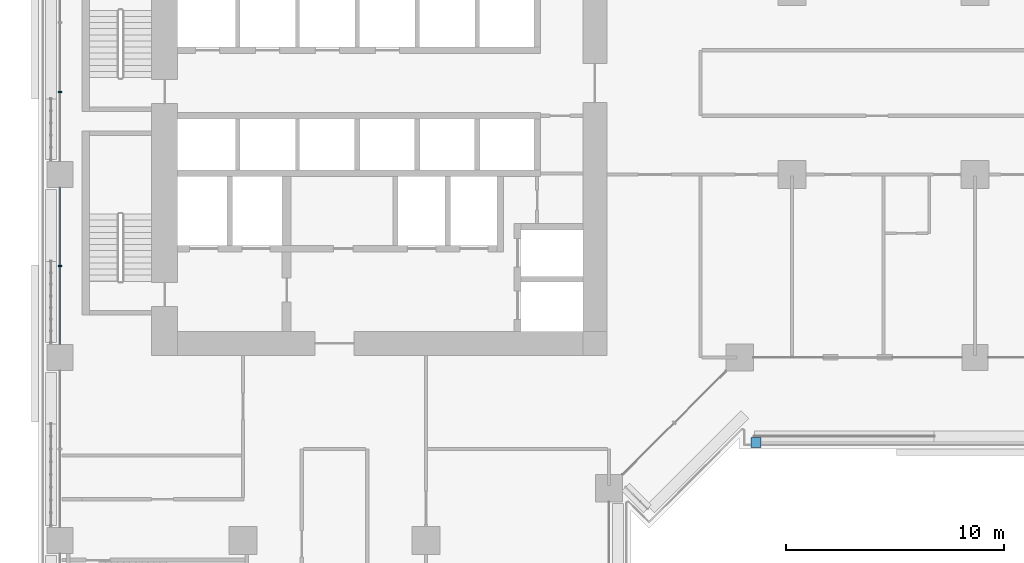
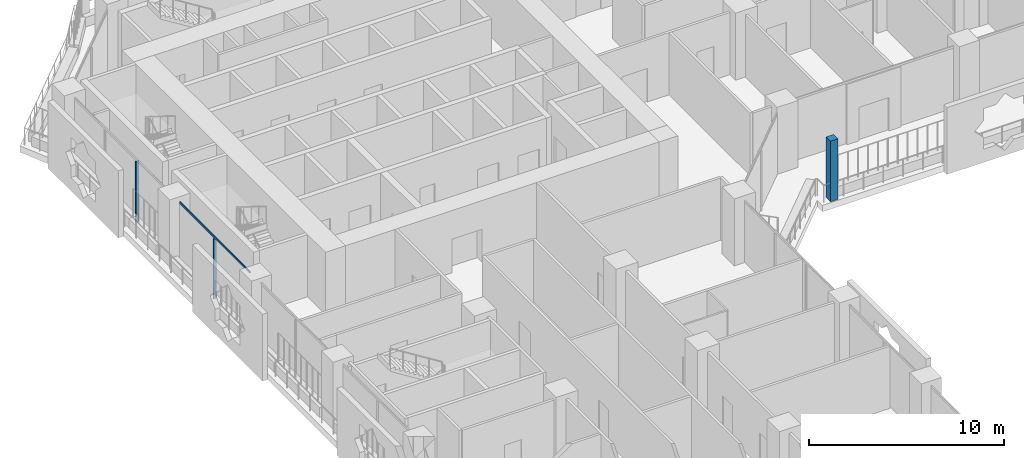
# One storey, part 5 of 28: 4 members, 2 elements without a shape of their own.
"""IFC4 building model written with IfcOpenShell, lengths in metres."""

from ifc_helpers import new_model, si_unit, direction, frame, origin, origin_2d, place, context, subcontext, project, spatial, rectangle, extrude, material, layer, layer_set, material_profile, profile_set, type_object, element, aggregate, save


model = new_model("IFC4")

# Units and contexts
model_context = context("Model", 3, precision=1e-05, world=origin(), true_north=direction((0.0, 1.0)))
body_context = subcontext(model_context, "Body", "Model", "MODEL_VIEW")
ifc_project = project(units=[si_unit("LENGTHUNIT", "METRE"), si_unit("AREAUNIT", "SQUARE_METRE"), si_unit("VOLUMEUNIT", "CUBIC_METRE"), si_unit("PLANEANGLEUNIT", "RADIAN"), si_unit("MASSUNIT", "GRAM", prefix="KILO")], contexts=[model_context])

# Site, building, storey
site_placement = place(None, origin())
site = spatial("IfcSite", under=ifc_project, at=site_placement, CompositionType="ELEMENT")
building_placement = place(site_placement, origin())
building = spatial("IfcBuilding", under=site, at=building_placement, Name="Kawkab Arch Medical Tower", CompositionType="ELEMENT")
storey_placement = place(building_placement, frame((0.0, 0.0, 56.0)))
storey = spatial("IfcBuildingStorey", under=building, at=storey_placement, Name="L12", CompositionType="ELEMENT", Elevation=56.0)

# Curtain wall, members
ifc_material_1 = material(Name="Bronze anodised aluminium curtain wall frame", Category="aluminium")
ifc_layer_1 = layer(ifc_material_1, 0.159912109375)
ifc_layer_set_1 = layer_set([ifc_layer_1], Name="Bronze anodised aluminium curtain wall frame")
curtain_wall_type_1 = type_object("IfcCurtainWallType", Name="CW1 ward curtain wall", PredefinedType="NOTDEFINED", material=ifc_layer_set_1)
placement = place(storey_placement, origin())
curtain_wall_1 = element("IfcCurtainWall", 1, at=placement, inside=storey, type_object=curtain_wall_type_1, Name="CW1 Ward curtain wall R01", PredefinedType="NOTDEFINED")
ifc_material_2 = material(Name="Bronze anodised aluminium curtain wall frame", Category="aluminium")
ifc_material_profile_1 = material_profile(ifc_material_2, rectangle(XDim=0.179931640625, YDim=0.06005859375, at=origin_2d()), Name="AL 60x180")
ifc_profile_set_1 = profile_set([ifc_material_profile_1], Name="Bronze anodised aluminium curtain wall frame")
member_type_1 = type_object("IfcMemberType", Name="CW1 mullion 60 x 180", PredefinedType="MULLION", material=ifc_profile_set_1)
member_1_placement = place(storey_placement, frame((0.0, -13.00830078125, 0.0), z_axis=(0.0, 0.0, 1.0), x_axis=(1.0, 0.0, 0.0)))
member_1 = element("IfcMember", 2, at=member_1_placement, type_object=member_type_1, Name="CW1 mullion 1.2", PredefinedType="MULLION", context=body_context, shape_type="SweptSolid", body=[
    extrude(rectangle(XDim=0.179931640625, YDim=0.06005859375, at=origin_2d()), origin(), (0.0, 0.0, 1.0), 3.780029296875),
])
member_2_placement = place(storey_placement, frame((0.0, -21.0, 0.0), z_axis=(0.0, 0.0, 1.0), x_axis=(1.0, 0.0, 0.0)))
member_2 = element("IfcMember", 3, at=member_2_placement, type_object=member_type_1, Name="CW1 mullion 2.1", PredefinedType="MULLION", context=body_context, shape_type="SweptSolid", body=[
    extrude(rectangle(XDim=0.179931640625, YDim=0.06005859375, at=origin_2d()), origin(), (0.0, 0.0, 1.0), 3.780029296875),
])
ifc_material_3 = material(Name="Bronze anodised aluminium curtain wall frame", Category="aluminium")
ifc_material_profile_2 = material_profile(ifc_material_3, rectangle(XDim=0.06005859375, YDim=0.1201171875, at=origin_2d()), Name="AL 60x120")
ifc_profile_set_2 = profile_set([ifc_material_profile_2], Name="Bronze anodised aluminium curtain wall frame")
member_type_2 = type_object("IfcMemberType", Name="CW1 transom 120 x 60", PredefinedType="USERDEFINED", material=ifc_profile_set_2)
member_3_placement = place(storey_placement, frame((0.0, -17.39990234375, 3.840087890625), z_axis=(0.0, -1.0, 0.0), x_axis=(1.0, 0.0, 0.0)))
member_3 = element("IfcMember", 4, at=member_3_placement, type_object=member_type_2, Name="CW1 transom 2", ObjectType="TRANSOM", PredefinedType="USERDEFINED", context=body_context, shape_type="SweptSolid", body=[
    extrude(rectangle(XDim=0.06005859375, YDim=0.1201171875, at=origin_2d()), origin(), (0.0, 0.0, 1.0), 7.2001953125),
])
aggregate(curtain_wall_1, [member_1, member_3, member_2])

# Curtain wall, member
ifc_material_4 = material(Name="Bronze anodised aluminium climber frame, planted", Category="aluminium")
ifc_layer_2 = layer(ifc_material_4, 0.449951171875)
ifc_layer_set_2 = layer_set([ifc_layer_2], Name="Bronze anodised aluminium climber frame, planted")
curtain_wall_type_2 = type_object("IfcCurtainWallType", Name="Planted climber frame", PredefinedType="NOTDEFINED", material=ifc_layer_set_2)
curtain_wall_2 = element("IfcCurtainWall", 5, at=placement, inside=storey, type_object=curtain_wall_type_2, Name="Planted climber frame L12", PredefinedType="NOTDEFINED")
ifc_material_5 = material(Name="Bronze anodised aluminium climber frame, planted", Category="aluminium")
ifc_material_profile_3 = material_profile(ifc_material_5, rectangle(XDim=0.449951171875, YDim=0.449951171875, at=origin_2d()), Name="Post 450x450")
ifc_profile_set_3 = profile_set([ifc_material_profile_3], Name="Bronze anodised aluminium climber frame, planted")
member_type_3 = type_object("IfcMemberType", Name="Planted climber post 450 x 450", PredefinedType="MULLION", material=ifc_profile_set_3)
member_4_placement = place(storey_placement, frame((31.949951171875, -29.10009765625, 0.0), z_axis=(0.0, 0.0, 1.0), x_axis=(1.0, 0.0, 0.0)))
member_4 = element("IfcMember", 6, at=member_4_placement, type_object=member_type_3, Name="Planted climber post L12.LOG-01-01.6", PredefinedType="MULLION", context=body_context, shape_type="SweptSolid", body=[
    extrude(rectangle(XDim=0.449951171875, YDim=0.449951171875, at=origin_2d()), origin(), (0.0, 0.0, 1.0), 3.800048828125),
])
aggregate(curtain_wall_2, [member_4])

save(model, "model.ifc")
